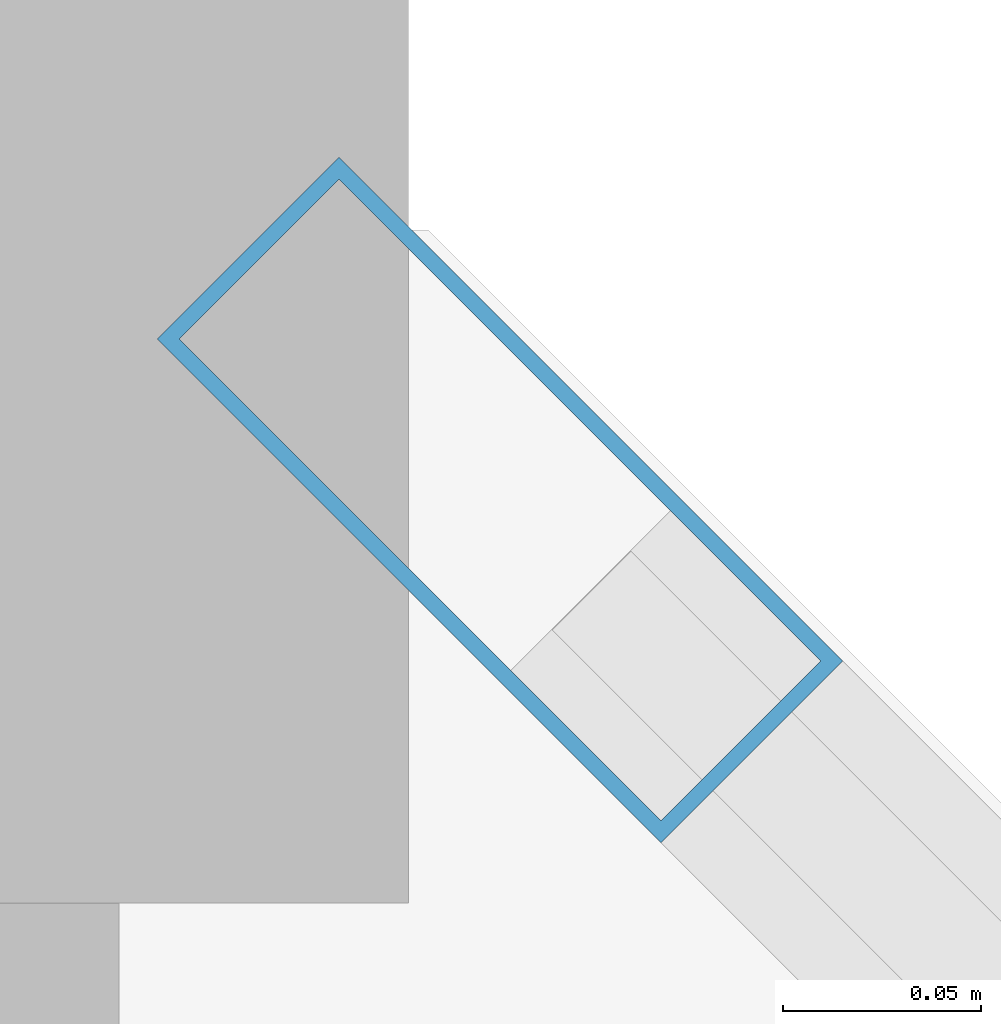
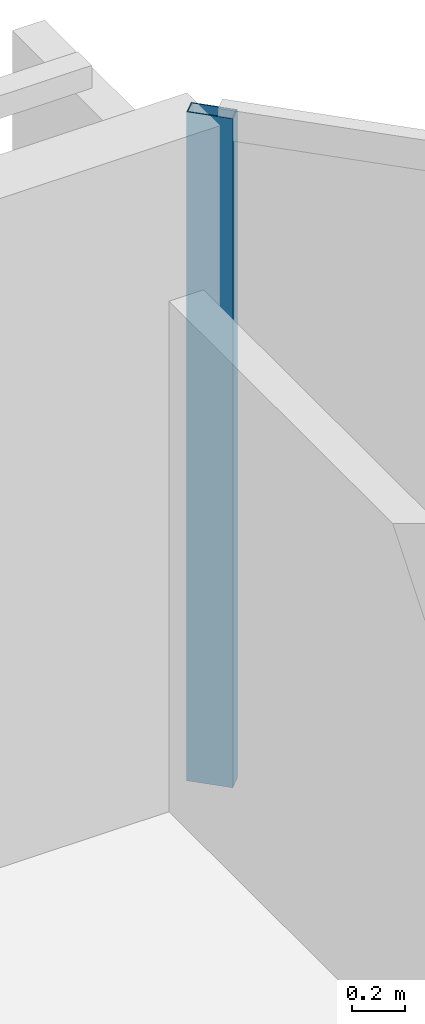
# One storey, part 21 of 35: 1 member, 1 element without a shape of its own.
"""IFC4 building model written with IfcOpenShell, lengths in metres."""

from ifc_helpers import new_model, si_unit, direction, frame, origin, origin_2d, place, context, subcontext, project, spatial, hollow_rectangle, extrude, material, layer, layer_set, material_profile, profile_set, type_object, element, aggregate, save


model = new_model("IFC4")

# Units and contexts
model_context = context("Model", 3, precision=1e-05, world=origin(), true_north=direction((0.0, 1.0)))
body_context = subcontext(model_context, "Body", "Model", "MODEL_VIEW")
ifc_project = project(units=[si_unit("LENGTHUNIT", "METRE"), si_unit("AREAUNIT", "SQUARE_METRE"), si_unit("VOLUMEUNIT", "CUBIC_METRE"), si_unit("PLANEANGLEUNIT", "RADIAN"), si_unit("MASSUNIT", "GRAM", prefix="KILO")], contexts=[model_context])

# Site, building, storey
site_placement = place(None, origin())
site = spatial("IfcSite", under=ifc_project, at=site_placement, CompositionType="ELEMENT")
building_placement = place(site_placement, origin())
building = spatial("IfcBuilding", under=site, at=building_placement, Name="Tanjung Sevakor Pilgrim Tower", CompositionType="ELEMENT")
storey_placement = place(building_placement, frame((0.0, 0.0, 92.070068359375)))
storey = spatial("IfcBuildingStorey", under=building, at=storey_placement, Name="L25", CompositionType="ELEMENT", Elevation=92.070068359375)

# Curtain wall, member
ifc_material_1 = material(Name="Aluminium 6063-T6 and Low-E Glass", Category="aluminium")
ifc_layer = layer(ifc_material_1, 0.179931640625)
ifc_layer_set = layer_set([ifc_layer], Name="CW-SYS-CHAM")
curtain_wall_type = type_object("IfcCurtainWallType", Name="CW-SYS-CHAM", PredefinedType="NOTDEFINED", material=ifc_layer_set)
curtain_wall_placement = place(storey_placement, origin())
curtain_wall = element("IfcCurtainWall", 1, at=curtain_wall_placement, inside=storey, type_object=curtain_wall_type, Name="L25 Curtain Wall CW-CHM-L25-MAIN-7", PredefinedType="NOTDEFINED")
ifc_material_2 = material(Name="Aluminium 6063-T6", Category="aluminium")
ifc_material_profile = material_profile(ifc_material_2, hollow_rectangle(XDim=0.06494140625, YDim=0.179931640625, WallThickness=0.00390625, at=origin_2d()))
ifc_profile_set = profile_set([ifc_material_profile], Name="Aluminium 6063-T6")
member_type = type_object("IfcMemberType", Name="TYPE-CWM-1", PredefinedType="MULLION", material=ifc_profile_set)
member_placement = place(storey_placement, frame((96.171142578125, 57.451904296875, 0.0), z_axis=(0.0, 0.0, 1.0), x_axis=(-0.707106781187, -0.707106781187, 0.0)))
member = element("IfcMember", 2, at=member_placement, type_object=member_type, Name="CW-CHM mullion 2", PredefinedType="MULLION", context=body_context, shape_type="SweptSolid", body=[
    extrude(hollow_rectangle(XDim=0.06494140625, YDim=0.179931640625, WallThickness=0.00390625, at=origin_2d()), origin(), (0.0, 0.0, 1.0), 3.079833984375),
])
aggregate(curtain_wall, [member])

save(model, "model.ifc")
